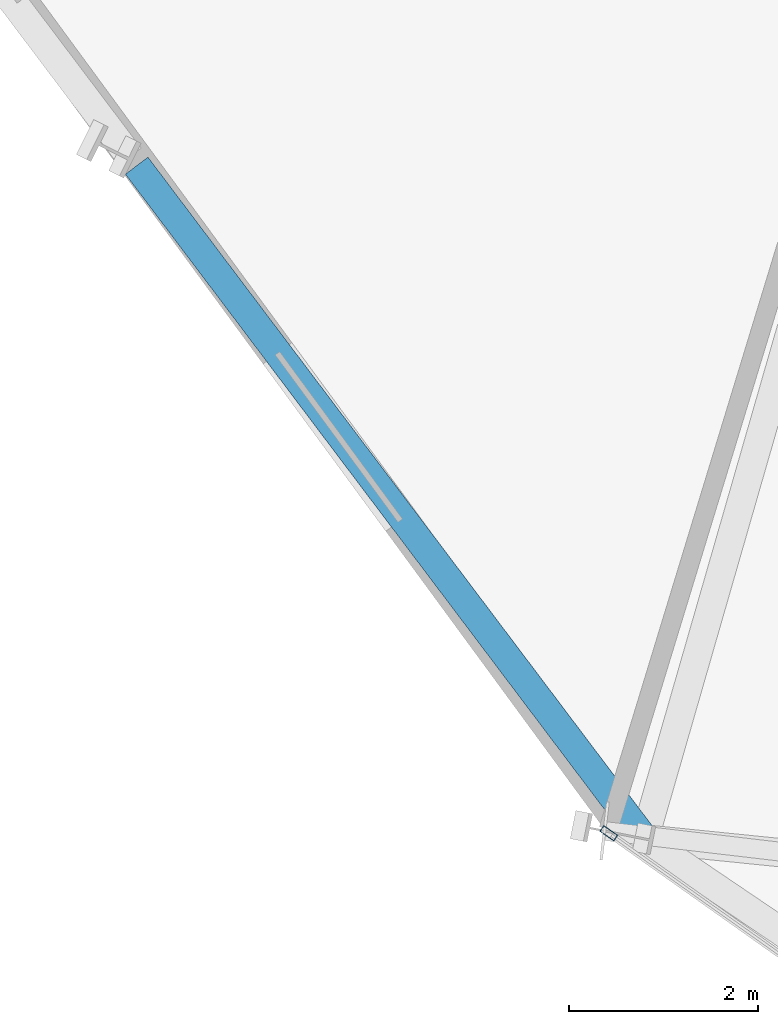
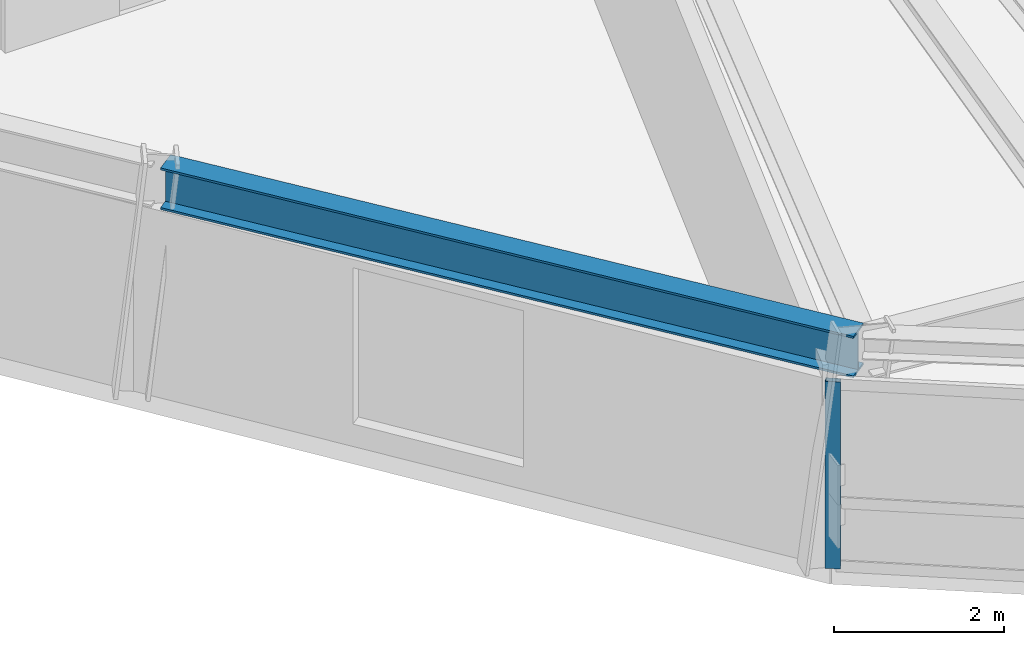
# One storey, part 2 of 15: 1 beam, 1 member, 1 element without a shape of its own.
"""IFC4 building model written with IfcOpenShell, lengths in metres."""

import ifcopenshell
import ifcopenshell.guid

model = None  # the IFC model being written
_history = None  # IfcOwnerHistory: only IFC2X3 demands one
_inside = {}  # id of a spatial element -> (the spatial element, [elements in it])
_under = {}  # id of a project, library or spatial element -> (it, [spatial elements below it])
_declared = {}  # id of a project -> (the project, [libraries it declares])
_typed = {}  # id of a type object -> (the type object, [elements of that type])
_made_of = {}  # id of a material, layer set ... -> (it, [elements and type objects made of it])


def new_model(schema):
    """Start an empty IFC model of exactly this schema.

    Asked for "IFC4X3", IfcOpenShell would pick the latest addendum, in which some entities
    have other attributes; the version numbers below select the first issue.
    IFC2X3 requires an IfcOwnerHistory on every rooted entity: one is made here for all.
    """
    global model, _history
    if schema == "IFC4X3":
        model = ifcopenshell.file(schema_version=(4, 3, 0, 0))
    else:
        model = ifcopenshell.file(schema=schema)
    _inside.clear()
    _under.clear()
    _declared.clear()
    _typed.clear()
    _made_of.clear()
    _history = None
    if model.schema == "IFC2X3":
        org = make("IfcOrganization", Name="unknown")
        user = make(
            "IfcPersonAndOrganization",
            ThePerson=make("IfcPerson", FamilyName="unknown"),
            TheOrganization=org,
        )
        app = make(
            "IfcApplication",
            ApplicationDeveloper=org,
            Version="unknown",
            ApplicationFullName="unknown",
            ApplicationIdentifier="unknown",
        )
        _history = make(
            "IfcOwnerHistory",
            OwningUser=user,
            OwningApplication=app,
            ChangeAction="ADDED",
            CreationDate=0,
        )
    return model


def make(cls, **values):
    """One entity of the class cls with the attributes given. An attribute that is None is left unset."""
    return model.create_entity(
        cls, **{name: value for name, value in values.items() if value is not None}
    )


def rooted(cls, **values):
    """An entity with a GlobalId (a new one), such as an element, a storey or a relation."""
    return make(cls, GlobalId=ifcopenshell.guid.new(), OwnerHistory=_history, **values)


def si_unit(unit_type, name, prefix=None):
    """IfcSIUnit, for example si_unit("LENGTHUNIT", "METRE", prefix="MILLI")."""
    return make("IfcSIUnit", UnitType=unit_type, Prefix=prefix, Name=name)


def assignment(units):
    """IfcUnitAssignment: the units of a project."""
    return None if units is None else make("IfcUnitAssignment", Units=units)


def point(xyz):
    """IfcCartesianPoint."""
    return None if xyz is None else make("IfcCartesianPoint", Coordinates=xyz)


def direction(xyz):
    """IfcDirection."""
    return None if xyz is None else make("IfcDirection", DirectionRatios=xyz)


def frame(location, z_axis=None, x_axis=None):
    """IfcAxis2Placement3D, a coordinate frame: its origin and axes. An axis left out is left unset."""
    return make(
        "IfcAxis2Placement3D",
        Location=point(location),
        Axis=direction(z_axis),
        RefDirection=direction(x_axis),
    )


def frame_2d(location, x_axis=None):
    """IfcAxis2Placement2D, a coordinate frame in the plane: its origin and x axis."""
    return make(
        "IfcAxis2Placement2D", Location=point(location), RefDirection=direction(x_axis)
    )


def origin():
    """The frame at (0, 0, 0) with its axes left unset."""
    return frame((0.0, 0.0, 0.0))


def origin_2d():
    """The frame at (0, 0) in the plane with its x axis left unset."""
    return frame_2d((0.0, 0.0))


def place(relative_to, where):
    """IfcLocalPlacement: puts the frame where relative to a parent placement (None: the world)."""
    return make(
        "IfcLocalPlacement", PlacementRelTo=relative_to, RelativePlacement=where
    )


def context(
    kind, dimensions, precision=None, world=None, true_north=None, identifier=None
):
    """IfcGeometricRepresentationContext, for example the 3D "Model" context."""
    return make(
        "IfcGeometricRepresentationContext",
        ContextIdentifier=identifier,
        ContextType=kind,
        CoordinateSpaceDimension=dimensions,
        Precision=precision,
        WorldCoordinateSystem=world,
        TrueNorth=true_north,
    )


def subcontext(parent, identifier, kind, view, scale=None):
    """IfcGeometricRepresentationSubContext, for example "Body" below "Model"."""
    return make(
        "IfcGeometricRepresentationSubContext",
        ContextIdentifier=identifier,
        ContextType=kind,
        ParentContext=parent,
        TargetScale=scale,
        TargetView=view,
    )


def project(units=None, contexts=None):
    """IfcProject with its units and contexts."""
    return rooted(
        "IfcProject",
        Name="project",
        RepresentationContexts=contexts,
        UnitsInContext=assignment(units),
    )


def spatial(cls, under=None, at=None, **own):
    """A site, building, storey or space (cls), placed at a placement, below another one or the project."""
    s = rooted(cls, ObjectPlacement=at, **own)
    if under is not None:
        _under.setdefault(under.id(), (under, []))[1].append(s)
    return s


def profile(cls, at=None, kind="AREA", **sizes):
    """A parametric profile (cls). Its sizes go by their IFC names, for example OverallWidth=200.0."""
    return make(cls, ProfileType=kind, Position=at, **sizes)


def hollow_rectangle(**sizes):
    """IfcRectangleHollowProfileDef."""
    return profile("IfcRectangleHollowProfileDef", **sizes)


def i_section(**sizes):
    """IfcIShapeProfileDef."""
    return profile("IfcIShapeProfileDef", **sizes)


def extrude(swept, where, along, depth):
    """IfcExtrudedAreaSolid: the profile swept, set in the frame where, extruded along a direction by depth."""
    return make(
        "IfcExtrudedAreaSolid",
        SweptArea=swept,
        Position=where,
        ExtrudedDirection=direction(along),
        Depth=depth,
    )


def shape(context_of_items, identifier, shape_type, items):
    """IfcShapeRepresentation: the items that make up one representation, for example the "Body"."""
    return make(
        "IfcShapeRepresentation",
        ContextOfItems=context_of_items,
        RepresentationIdentifier=identifier,
        RepresentationType=shape_type,
        Items=items,
    )


def source(mapping_origin, context_of_items, identifier, shape_type, items):
    """IfcRepresentationMap: a shape defined once, which mapped items show again and again."""
    return make(
        "IfcRepresentationMap",
        MappingOrigin=mapping_origin,
        MappedRepresentation=shape(context_of_items, identifier, shape_type, items),
    )


def transform(
    local_origin,
    x_axis=None,
    y_axis=None,
    z_axis=None,
    scale=None,
    scale2=None,
    scale3=None,
    uniform=True,
):
    """IfcCartesianTransformationOperator3D, or its non-uniform kind. x_axis, y_axis, z_axis: its Axis1, 2, 3."""
    if uniform:
        return make(
            "IfcCartesianTransformationOperator3D",
            Axis1=direction(x_axis),
            Axis2=direction(y_axis),
            LocalOrigin=point(local_origin),
            Scale=scale,
            Axis3=direction(z_axis),
        )
    return make(
        "IfcCartesianTransformationOperator3DnonUniform",
        Axis1=direction(x_axis),
        Axis2=direction(y_axis),
        LocalOrigin=point(local_origin),
        Scale=scale,
        Axis3=direction(z_axis),
        Scale2=scale2,
        Scale3=scale3,
    )


def mapped(mapping_source, mapping_target):
    """IfcMappedItem: shows the shape of a source again, moved by a transform."""
    return make(
        "IfcMappedItem", MappingSource=mapping_source, MappingTarget=mapping_target
    )


def material(Name=None, Category=None):
    """IfcMaterial."""
    return make("IfcMaterial", Name=Name, Category=Category)


def material_profile(
    of_material, cross_section, Name=None, Category=None, Priority=None
):
    """IfcMaterialProfile: a cross section and its material."""
    return make(
        "IfcMaterialProfile",
        Name=Name,
        Material=of_material,
        Profile=cross_section,
        Priority=Priority,
        Category=Category,
    )


def profile_set(profiles, Name=None, composite=None):
    """IfcMaterialProfileSet."""
    return make(
        "IfcMaterialProfileSet",
        Name=Name,
        MaterialProfiles=profiles,
        CompositeProfile=composite,
    )


def made_of(thing, what):
    """Note that an element or type object is made of a material, layer set ...; save() writes the relation."""
    if what is not None:
        _made_of.setdefault(what.id(), (what, []))[1].append(thing)
    return thing


def type_object(cls, material=None, **own):
    """A type object (cls), such as IfcWallType, which elements share."""
    return made_of(rooted(cls, **own), material)


def element(
    cls,
    number,
    at=None,
    inside=None,
    cuts=None,
    type_object=None,
    material=None,
    context=None,
    identifier="Body",
    shape_type=None,
    held_by="IfcProductDefinitionShape",
    body=None,
    shapes=None,
    **own,
):
    """One element of the class cls, such as IfcWall. Its Tag is "e" and its number.

    at: its placement. inside: the storey or other place that contains it. cuts: it is an
    opening in that element (IfcRelVoidsElement). A single representation is given by context,
    identifier, shape_type and body (its items); several are given by shapes. held_by: the class
    of the entity that holds the representations. save() writes the other relations.
    """
    e = rooted(cls, Tag="e%d" % number, ObjectPlacement=at, **own)
    if body is not None:
        shapes = [shape(context, identifier, shape_type, body)]
    if shapes is not None:
        e.Representation = make(held_by, Representations=shapes)
    if inside is not None:
        _inside.setdefault(inside.id(), (inside, []))[1].append(e)
    if cuts is not None:
        rooted(
            "IfcRelVoidsElement", RelatingBuildingElement=cuts, RelatedOpeningElement=e
        )
    if type_object is not None:
        _typed.setdefault(type_object.id(), (type_object, []))[1].append(e)
    return made_of(e, material)


def aggregate(whole, parts):
    """IfcRelAggregates: a whole, such as a stair, and the parts it consists of."""
    return rooted("IfcRelAggregates", RelatingObject=whole, RelatedObjects=parts)


def save(model, path):
    """Write the relations noted so far, then the file.

    IfcRelAggregates (storeys below a building ...), IfcRelContainedInSpatialStructure (elements
    in a storey), IfcRelDefinesByType, IfcRelAssociatesMaterial and IfcRelDeclares: one each for
    every whole, place, type object, material and project.
    """
    for whole, parts in _under.values():
        aggregate(whole, parts)
    for where, things in _inside.values():
        rooted(
            "IfcRelContainedInSpatialStructure",
            RelatedElements=things,
            RelatingStructure=where,
        )
    for kind, things in _typed.values():
        rooted("IfcRelDefinesByType", RelatedObjects=things, RelatingType=kind)
    for what, things in _made_of.values():
        rooted("IfcRelAssociatesMaterial", RelatedObjects=things, RelatingMaterial=what)
    for by, libraries in _declared.values():
        rooted("IfcRelDeclares", RelatingContext=by, RelatedDefinitions=libraries)
    model.write(path)


model = new_model("IFC4")

# Units and contexts
model_context = context("Model", 3, precision=1e-05, world=origin(), true_north=direction((0.0, 1.0)))
body_context = subcontext(model_context, "Body", "Model", "MODEL_VIEW")
ifc_project = project(units=[si_unit("LENGTHUNIT", "METRE"), si_unit("AREAUNIT", "SQUARE_METRE"), si_unit("VOLUMEUNIT", "CUBIC_METRE"), si_unit("PLANEANGLEUNIT", "RADIAN"), si_unit("MASSUNIT", "GRAM", prefix="KILO")], contexts=[model_context])

# Site, building, storey
site_placement = place(None, origin())
site = spatial("IfcSite", under=ifc_project, at=site_placement, CompositionType="ELEMENT")
building_placement = place(site_placement, origin())
building = spatial("IfcBuilding", under=site, at=building_placement, Name="Olszyna Solenne Hotel", CompositionType="ELEMENT")
storey_placement = place(building_placement, frame((0.0, 0.0, 146.60009765625)))
storey = spatial("IfcBuildingStorey", under=building, at=storey_placement, Name="L38", CompositionType="ELEMENT", Elevation=146.60009765625)

# Beam
ifc_material_1 = material(Name="Steel S355J2", Category="steel")
ifc_material_profile_1 = material_profile(ifc_material_1, i_section(OverallWidth=0.300048828125, OverallDepth=0.60009765625, WebThickness=0.015380859375, FlangeThickness=0.030029296875, at=origin_2d()), Name="HEB 600", Category="load-bearing")
ifc_profile_set_1 = profile_set([ifc_material_profile_1], Name="Steel S355J2")
beam_type = type_object("IfcBeamType", Name="BM-S2", PredefinedType="BEAM", material=ifc_profile_set_1)
shared_shape_1 = source(origin(), body_context, "Body", "SweptSolid", [
    extrude(i_section(OverallWidth=0.300048828125, OverallDepth=0.60009765625, WebThickness=0.015380859375, FlangeThickness=0.030029296875, at=origin_2d()), origin(), (0.0, 0.0, 1.0), 8.8720703125),
])
beam_placement = place(storey_placement, frame((25.775146484375, 9.954345703125, 3.0), z_axis=(0.602089302037, -0.798428752221, 0.0), x_axis=(0.798428752221, 0.602089302037, 0.0)))
element("IfcBeam", 1, at=beam_placement, inside=storey, type_object=beam_type, Name="Perimeter spandrel beam BM-S2 B-L38-1133", PredefinedType="BEAM", context=body_context, shape_type="MappedRepresentation", body=[
    mapped(shared_shape_1, transform((0.0, 0.0, 0.0), x_axis=(1.0, 0.0, 0.0), y_axis=(0.0, 1.0, 0.0), z_axis=(0.0, 0.0, 1.0), scale=1.0)),
])

# Curtain wall, member
ifc_material_2 = material(Name="Anodised bronze aluminium", Category="aluminium")
curtain_wall_type = type_object("IfcCurtainWallType", Name="CW-SYS-5", PredefinedType="NOTDEFINED", material=ifc_material_2)
curtain_wall_placement = place(storey_placement, origin())
curtain_wall = element("IfcCurtainWall", 2, at=curtain_wall_placement, inside=storey, type_object=curtain_wall_type, Name="Unitised curtain wall CW-SYS-5 CW-L38-02", PredefinedType="NOTDEFINED")
ifc_material_profile_2 = material_profile(ifc_material_2, hollow_rectangle(XDim=0.074951171875, YDim=0.179931640625, WallThickness=0.00439453125, at=origin_2d()), Name="MULL 180x75x4.5", Category="load-bearing")
ifc_profile_set_2 = profile_set([ifc_material_profile_2], Name="Anodised bronze aluminium")
member_type = type_object("IfcMemberType", Name="CW-M2", PredefinedType="MULLION", material=ifc_profile_set_2)
shared_shape_2 = source(origin(), body_context, "Body", "SweptSolid", [
    extrude(hollow_rectangle(XDim=0.074951171875, YDim=0.179931640625, WallThickness=0.00439453125, at=origin_2d()), origin(), (0.0, 0.0, 1.0), 2.69189453125),
])
member_placement = place(storey_placement, frame((30.776611328125, 2.882080078125, 0.0), z_axis=(0.0, 0.0, 1.0), x_axis=(0.577917486358, 0.816095202143, 0.0)))
member = element("IfcMember", 3, at=member_placement, type_object=member_type, Name="Curtain-wall mullion CW-M2 CM-L38-02-01", PredefinedType="MULLION", context=body_context, shape_type="MappedRepresentation", body=[
    mapped(shared_shape_2, transform((0.0, 0.0, 0.0), x_axis=(1.0, 0.0, 0.0), y_axis=(0.0, 1.0, 0.0), z_axis=(0.0, 0.0, 1.0), scale=1.0)),
])
aggregate(curtain_wall, [member])

save(model, "model.ifc")
